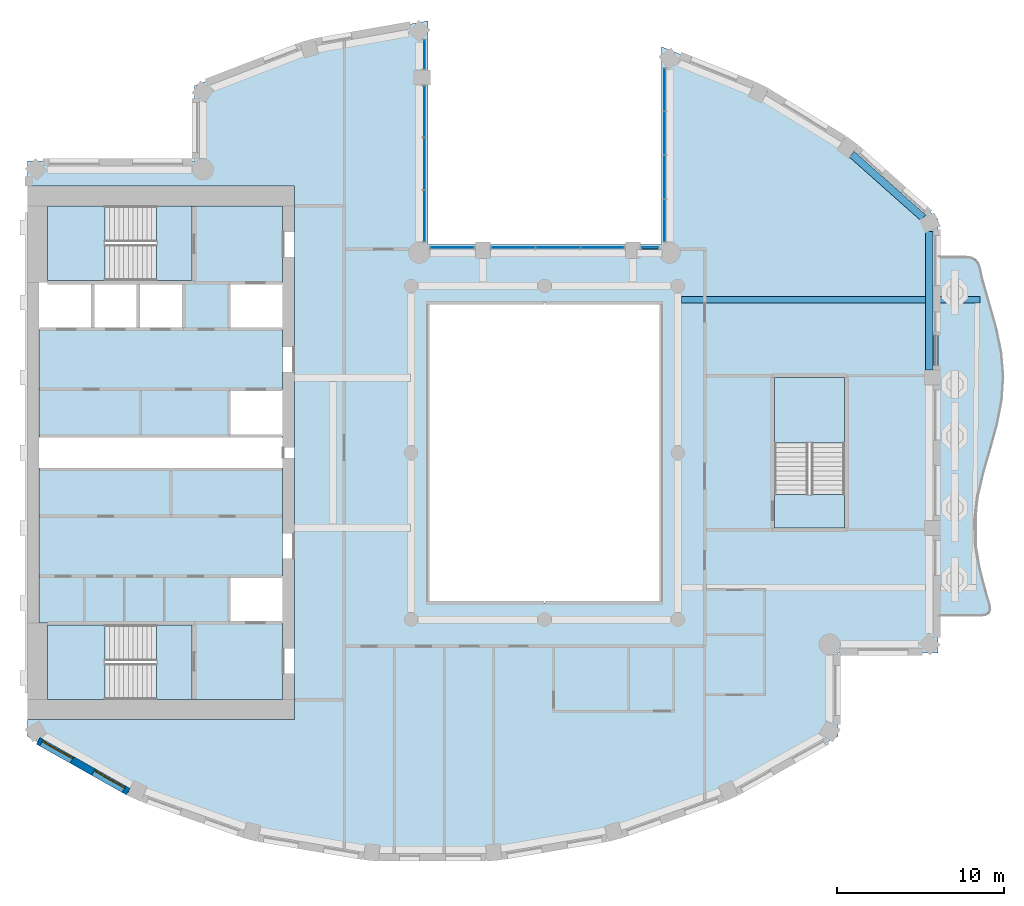
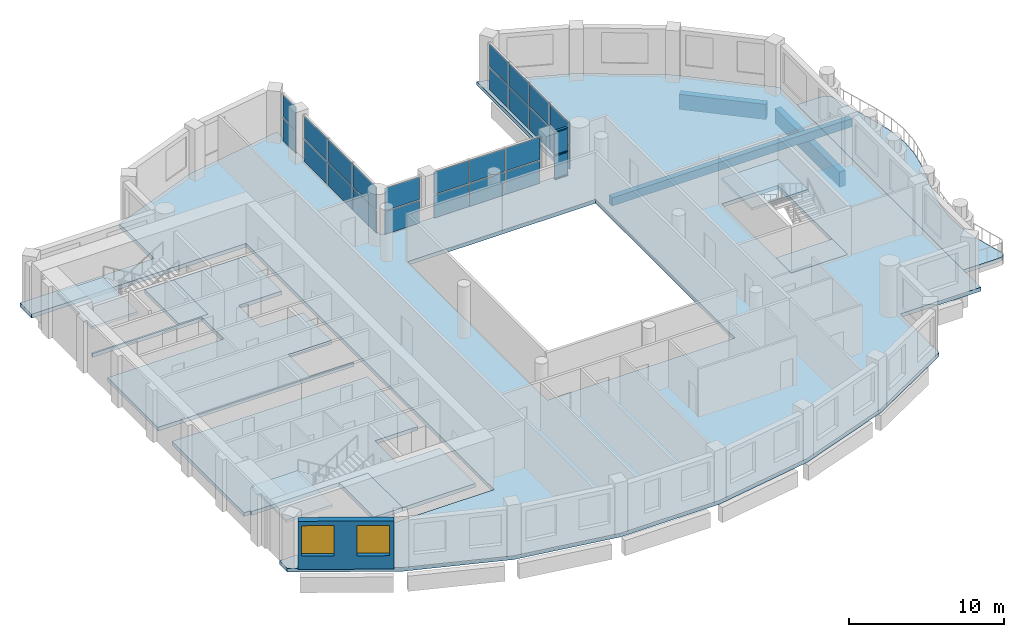
# One storey, part 3 of 14: 26 plates, 10 slabs, 3 beams, 3 members, 2 windows, 1 wall, 2 openings, 9 elements without a shape of their own.
"""IFC4 building model written with IfcOpenShell, lengths in metres."""

import ifcopenshell
import ifcopenshell.guid

model = None  # the IFC model being written
_history = None  # IfcOwnerHistory: only IFC2X3 demands one
_inside = {}  # id of a spatial element -> (the spatial element, [elements in it])
_under = {}  # id of a project, library or spatial element -> (it, [spatial elements below it])
_declared = {}  # id of a project -> (the project, [libraries it declares])
_typed = {}  # id of a type object -> (the type object, [elements of that type])
_made_of = {}  # id of a material, layer set ... -> (it, [elements and type objects made of it])


def new_model(schema):
    """Start an empty IFC model of exactly this schema.

    Asked for "IFC4X3", IfcOpenShell would pick the latest addendum, in which some entities
    have other attributes; the version numbers below select the first issue.
    IFC2X3 requires an IfcOwnerHistory on every rooted entity: one is made here for all.
    """
    global model, _history
    if schema == "IFC4X3":
        model = ifcopenshell.file(schema_version=(4, 3, 0, 0))
    else:
        model = ifcopenshell.file(schema=schema)
    _inside.clear()
    _under.clear()
    _declared.clear()
    _typed.clear()
    _made_of.clear()
    _history = None
    if model.schema == "IFC2X3":
        org = make("IfcOrganization", Name="unknown")
        user = make(
            "IfcPersonAndOrganization",
            ThePerson=make("IfcPerson", FamilyName="unknown"),
            TheOrganization=org,
        )
        app = make(
            "IfcApplication",
            ApplicationDeveloper=org,
            Version="unknown",
            ApplicationFullName="unknown",
            ApplicationIdentifier="unknown",
        )
        _history = make(
            "IfcOwnerHistory",
            OwningUser=user,
            OwningApplication=app,
            ChangeAction="ADDED",
            CreationDate=0,
        )
    return model


def make(cls, **values):
    """One entity of the class cls with the attributes given. An attribute that is None is left unset."""
    return model.create_entity(
        cls, **{name: value for name, value in values.items() if value is not None}
    )


def rooted(cls, **values):
    """An entity with a GlobalId (a new one), such as an element, a storey or a relation."""
    return make(cls, GlobalId=ifcopenshell.guid.new(), OwnerHistory=_history, **values)


def si_unit(unit_type, name, prefix=None):
    """IfcSIUnit, for example si_unit("LENGTHUNIT", "METRE", prefix="MILLI")."""
    return make("IfcSIUnit", UnitType=unit_type, Prefix=prefix, Name=name)


def assignment(units):
    """IfcUnitAssignment: the units of a project."""
    return None if units is None else make("IfcUnitAssignment", Units=units)


def point(xyz):
    """IfcCartesianPoint."""
    return None if xyz is None else make("IfcCartesianPoint", Coordinates=xyz)


def direction(xyz):
    """IfcDirection."""
    return None if xyz is None else make("IfcDirection", DirectionRatios=xyz)


def frame(location, z_axis=None, x_axis=None):
    """IfcAxis2Placement3D, a coordinate frame: its origin and axes. An axis left out is left unset."""
    return make(
        "IfcAxis2Placement3D",
        Location=point(location),
        Axis=direction(z_axis),
        RefDirection=direction(x_axis),
    )


def frame_2d(location, x_axis=None):
    """IfcAxis2Placement2D, a coordinate frame in the plane: its origin and x axis."""
    return make(
        "IfcAxis2Placement2D", Location=point(location), RefDirection=direction(x_axis)
    )


def origin():
    """The frame at (0, 0, 0) with its axes left unset."""
    return frame((0.0, 0.0, 0.0))


def origin_2d():
    """The frame at (0, 0) in the plane with its x axis left unset."""
    return frame_2d((0.0, 0.0))


def place(relative_to, where):
    """IfcLocalPlacement: puts the frame where relative to a parent placement (None: the world)."""
    return make(
        "IfcLocalPlacement", PlacementRelTo=relative_to, RelativePlacement=where
    )


def context(
    kind, dimensions, precision=None, world=None, true_north=None, identifier=None
):
    """IfcGeometricRepresentationContext, for example the 3D "Model" context."""
    return make(
        "IfcGeometricRepresentationContext",
        ContextIdentifier=identifier,
        ContextType=kind,
        CoordinateSpaceDimension=dimensions,
        Precision=precision,
        WorldCoordinateSystem=world,
        TrueNorth=true_north,
    )


def subcontext(parent, identifier, kind, view, scale=None):
    """IfcGeometricRepresentationSubContext, for example "Body" below "Model"."""
    return make(
        "IfcGeometricRepresentationSubContext",
        ContextIdentifier=identifier,
        ContextType=kind,
        ParentContext=parent,
        TargetScale=scale,
        TargetView=view,
    )


def project(units=None, contexts=None):
    """IfcProject with its units and contexts."""
    return rooted(
        "IfcProject",
        Name="project",
        RepresentationContexts=contexts,
        UnitsInContext=assignment(units),
    )


def spatial(cls, under=None, at=None, **own):
    """A site, building, storey or space (cls), placed at a placement, below another one or the project."""
    s = rooted(cls, ObjectPlacement=at, **own)
    if under is not None:
        _under.setdefault(under.id(), (under, []))[1].append(s)
    return s


def polyline(points):
    """IfcPolyline through the points."""
    return make("IfcPolyline", Points=[point(p) for p in points])


def profile(cls, at=None, kind="AREA", **sizes):
    """A parametric profile (cls). Its sizes go by their IFC names, for example OverallWidth=200.0."""
    return make(cls, ProfileType=kind, Position=at, **sizes)


def rectangle(**sizes):
    """IfcRectangleProfileDef."""
    return profile("IfcRectangleProfileDef", **sizes)


def outline(outer, holes=None, kind="AREA"):
    """IfcArbitraryClosedProfileDef: a profile drawn as a closed curve; with holes, ...WithVoids."""
    if holes is None:
        return make("IfcArbitraryClosedProfileDef", ProfileType=kind, OuterCurve=outer)
    return make(
        "IfcArbitraryProfileDefWithVoids",
        ProfileType=kind,
        OuterCurve=outer,
        InnerCurves=holes,
    )


def extrude(swept, where, along, depth):
    """IfcExtrudedAreaSolid: the profile swept, set in the frame where, extruded along a direction by depth."""
    return make(
        "IfcExtrudedAreaSolid",
        SweptArea=swept,
        Position=where,
        ExtrudedDirection=direction(along),
        Depth=depth,
    )


def shape(context_of_items, identifier, shape_type, items):
    """IfcShapeRepresentation: the items that make up one representation, for example the "Body"."""
    return make(
        "IfcShapeRepresentation",
        ContextOfItems=context_of_items,
        RepresentationIdentifier=identifier,
        RepresentationType=shape_type,
        Items=items,
    )


def material(Name=None, Category=None):
    """IfcMaterial."""
    return make("IfcMaterial", Name=Name, Category=Category)


def layer(
    of_material, thickness, ventilated=None, Name=None, Category=None, Priority=None
):
    """IfcMaterialLayer: one layer of a wall or slab, of a material (None: an air gap)."""
    return make(
        "IfcMaterialLayer",
        Material=of_material,
        LayerThickness=thickness,
        IsVentilated=ventilated,
        Name=Name,
        Category=Category,
        Priority=Priority,
    )


def layer_set(layers, Name=None):
    """IfcMaterialLayerSet."""
    return make("IfcMaterialLayerSet", MaterialLayers=layers, LayerSetName=Name)


def material_profile(
    of_material, cross_section, Name=None, Category=None, Priority=None
):
    """IfcMaterialProfile: a cross section and its material."""
    return make(
        "IfcMaterialProfile",
        Name=Name,
        Material=of_material,
        Profile=cross_section,
        Priority=Priority,
        Category=Category,
    )


def profile_set(profiles, Name=None, composite=None):
    """IfcMaterialProfileSet."""
    return make(
        "IfcMaterialProfileSet",
        Name=Name,
        MaterialProfiles=profiles,
        CompositeProfile=composite,
    )


def made_of(thing, what):
    """Note that an element or type object is made of a material, layer set ...; save() writes the relation."""
    if what is not None:
        _made_of.setdefault(what.id(), (what, []))[1].append(thing)
    return thing


def type_object(cls, material=None, **own):
    """A type object (cls), such as IfcWallType, which elements share."""
    return made_of(rooted(cls, **own), material)


def element(
    cls,
    number,
    at=None,
    inside=None,
    cuts=None,
    type_object=None,
    material=None,
    context=None,
    identifier="Body",
    shape_type=None,
    held_by="IfcProductDefinitionShape",
    body=None,
    shapes=None,
    **own,
):
    """One element of the class cls, such as IfcWall. Its Tag is "e" and its number.

    at: its placement. inside: the storey or other place that contains it. cuts: it is an
    opening in that element (IfcRelVoidsElement). A single representation is given by context,
    identifier, shape_type and body (its items); several are given by shapes. held_by: the class
    of the entity that holds the representations. save() writes the other relations.
    """
    e = rooted(cls, Tag="e%d" % number, ObjectPlacement=at, **own)
    if body is not None:
        shapes = [shape(context, identifier, shape_type, body)]
    if shapes is not None:
        e.Representation = make(held_by, Representations=shapes)
    if inside is not None:
        _inside.setdefault(inside.id(), (inside, []))[1].append(e)
    if cuts is not None:
        rooted(
            "IfcRelVoidsElement", RelatingBuildingElement=cuts, RelatedOpeningElement=e
        )
    if type_object is not None:
        _typed.setdefault(type_object.id(), (type_object, []))[1].append(e)
    return made_of(e, material)


def fill(opening, filler):
    """IfcRelFillsElement: the door or window that sits in an opening."""
    return rooted(
        "IfcRelFillsElement",
        RelatingOpeningElement=opening,
        RelatedBuildingElement=filler,
    )


def aggregate(whole, parts):
    """IfcRelAggregates: a whole, such as a stair, and the parts it consists of."""
    return rooted("IfcRelAggregates", RelatingObject=whole, RelatedObjects=parts)


def save(model, path):
    """Write the relations noted so far, then the file.

    IfcRelAggregates (storeys below a building ...), IfcRelContainedInSpatialStructure (elements
    in a storey), IfcRelDefinesByType, IfcRelAssociatesMaterial and IfcRelDeclares: one each for
    every whole, place, type object, material and project.
    """
    for whole, parts in _under.values():
        aggregate(whole, parts)
    for where, things in _inside.values():
        rooted(
            "IfcRelContainedInSpatialStructure",
            RelatedElements=things,
            RelatingStructure=where,
        )
    for kind, things in _typed.values():
        rooted("IfcRelDefinesByType", RelatedObjects=things, RelatingType=kind)
    for what, things in _made_of.values():
        rooted("IfcRelAssociatesMaterial", RelatedObjects=things, RelatingMaterial=what)
    for by, libraries in _declared.values():
        rooted("IfcRelDeclares", RelatingContext=by, RelatedDefinitions=libraries)
    model.write(path)


model = new_model("IFC4")

# Units and contexts
model_context = context("Model", 3, precision=1e-05, world=origin(), true_north=direction((0.0, 1.0)))
body_context = subcontext(model_context, "Body", "Model", "MODEL_VIEW")
ifc_project = project(units=[si_unit("LENGTHUNIT", "METRE"), si_unit("AREAUNIT", "SQUARE_METRE"), si_unit("VOLUMEUNIT", "CUBIC_METRE"), si_unit("PLANEANGLEUNIT", "RADIAN"), si_unit("MASSUNIT", "GRAM", prefix="KILO")], contexts=[model_context])

# Site, building, storey
site_placement = place(None, origin())
site = spatial("IfcSite", under=ifc_project, at=site_placement, CompositionType="ELEMENT")
building_placement = place(site_placement, origin())
building = spatial("IfcBuilding", under=site, at=building_placement, Name="Cypress Arch Tower", CompositionType="ELEMENT")
storey_placement = place(building_placement, frame((0.0, 0.0, 251.60009765625)))
storey = spatial("IfcBuildingStorey", under=building, at=storey_placement, Name="L56", CompositionType="ELEMENT", Elevation=251.60009765625)

# Beams
ifc_material_1 = material(Name="Concrete C50/60", Category="concrete")
ifc_material_profile_1 = material_profile(ifc_material_1, rectangle(XDim=0.39990234375, YDim=0.64990234375, at=origin_2d()), Name="RC 400x650")
ifc_profile_set_1 = profile_set([ifc_material_profile_1], Name="Concrete C50/60")
beam_type_1 = type_object("IfcBeamType", Name="Cantilever beam RC 400x650 Concrete C50/60", PredefinedType="BEAM", material=ifc_profile_set_1)
beam_1_placement = place(storey_placement, frame((9.22509765625, 9.1826171875, -0.625), z_axis=(1.0, 0.0, 0.0), x_axis=(0.0, 1.0, 0.0)))
element("IfcBeam", 1, at=beam_1_placement, inside=storey, type_object=beam_type_1, Name="Cantilever beam L56 C17 2", PredefinedType="BEAM", context=body_context, shape_type="SweptSolid", body=[
    extrude(rectangle(XDim=0.39990234375, YDim=0.64990234375, at=origin_2d()), origin(), (0.0, 0.0, 1.0), 17.87353515625),
])
ifc_material_2 = material(Name="Concrete C50/60", Category="concrete")
ifc_material_profile_2 = material_profile(ifc_material_2, rectangle(XDim=0.449951171875, YDim=1.199951171875, at=origin_2d()), Name="RC 450x1200")
ifc_profile_set_2 = profile_set([ifc_material_profile_2], Name="Concrete C50/60")
beam_type_2 = type_object("IfcBeamType", Name="Spandrel beam RC 450x1200 Concrete C50/60", PredefinedType="SPANDREL", material=ifc_profile_set_2)
beam_2_placement = place(storey_placement, frame((24.074951171875, 4.949951171875, -1.550048828125), z_axis=(0.0, 1.0, 0.0), x_axis=(-1.0, 0.0, 0.0)))
element("IfcBeam", 2, at=beam_2_placement, inside=storey, type_object=beam_type_2, Name="Spandrel beam L56 BC17-2", PredefinedType="SPANDREL", context=body_context, shape_type="SweptSolid", body=[
    extrude(rectangle(XDim=0.449951171875, YDim=1.199951171875, at=origin_2d()), origin(), (0.0, 0.0, 1.0), 8.32080078125),
])
beam_3_placement = place(storey_placement, frame((23.706298828125, 14.091796875, -1.550048828125), z_axis=(-0.747555073917, 0.664199827959, 0.0), x_axis=(-0.664199827959, -0.747555073917, 0.0)))
element("IfcBeam", 3, at=beam_3_placement, inside=storey, type_object=beam_type_2, Name="Spandrel beam L56 BC18-0", PredefinedType="SPANDREL", context=body_context, shape_type="SweptSolid", body=[
    extrude(rectangle(XDim=0.449951171875, YDim=1.199951171875, at=origin_2d()), origin(), (0.0, 0.0, 1.0), 5.72900390625),
])

# Curtain wall, members
ifc_material_3 = material(Name="Anodised aluminium, bronze finish, clear laminated double glazing", Category="aluminium")
curtain_wall_type = type_object("IfcCurtainWallType", Name="Curtain wall CW7 slot glazing", PredefinedType="NOTDEFINED", material=ifc_material_3)
curtain_wall_1_placement = place(storey_placement, origin())
curtain_wall_1 = element("IfcCurtainWall", 4, at=curtain_wall_1_placement, inside=storey, type_object=curtain_wall_type, Name="Curtain wall L56 slot C01.0", PredefinedType="NOTDEFINED")
ifc_material_4 = material(Name="Anodised aluminium, bronze finish", Category="aluminium")
ifc_material_profile_3 = material_profile(ifc_material_4, rectangle(XDim=0.179931640625, YDim=0.0849609375, at=origin_2d()), Name="Transom 85x180")
ifc_profile_set_3 = profile_set([ifc_material_profile_3], Name="Anodised aluminium, bronze finish")
member_type = type_object("IfcMemberType", Name="Transom CW7 85x180", PredefinedType="USERDEFINED", material=ifc_profile_set_3)
member_1_placement = place(storey_placement, frame((7.8134765625, 12.300048828125, 0.04248046875), z_axis=(-1.0, 0.0, 0.0), x_axis=(0.0, -1.0, 0.0)))
member_1 = element("IfcMember", 5, at=member_1_placement, type_object=member_type, Name="CW7 transom 1.1", ObjectType="TRANSOM", PredefinedType="USERDEFINED", context=body_context, shape_type="SweptSolid", body=[
    extrude(rectangle(XDim=0.179931640625, YDim=0.0849609375, at=origin_2d()), origin(), (0.0, 0.0, 1.0), 0.978515625),
])
member_2_placement = place(storey_placement, frame((7.8134765625, 12.300048828125, 1.89990234375), z_axis=(-1.0, 0.0, 0.0), x_axis=(0.0, -1.0, 0.0)))
member_2 = element("IfcMember", 6, at=member_2_placement, type_object=member_type, Name="CW7 transom 1.2", ObjectType="TRANSOM", PredefinedType="USERDEFINED", context=body_context, shape_type="SweptSolid", body=[
    extrude(rectangle(XDim=0.179931640625, YDim=0.0849609375, at=origin_2d()), origin(), (0.0, 0.0, 1.0), 0.978515625),
])
member_3_placement = place(storey_placement, frame((7.8134765625, 12.300048828125, 3.75732421875), z_axis=(-1.0, 0.0, 0.0), x_axis=(0.0, -1.0, 0.0)))
member_3 = element("IfcMember", 7, at=member_3_placement, type_object=member_type, Name="CW7 transom 1.3", ObjectType="TRANSOM", PredefinedType="USERDEFINED", context=body_context, shape_type="SweptSolid", body=[
    extrude(rectangle(XDim=0.179931640625, YDim=0.0849609375, at=origin_2d()), origin(), (0.0, 0.0, 1.0), 0.978515625),
])

# Slabs
ifc_material_5 = material(Name="Concrete C40/50", Category="concrete")
ifc_layer_1 = layer(ifc_material_5, 0.300048828125)
ifc_layer_set_1 = layer_set([ifc_layer_1], Name="Balcony slab BS300")
slab_type_1 = type_object("IfcSlabType", Name="Balcony slab BS300", PredefinedType="USERDEFINED", material=ifc_layer_set_1)
slab_1_placement = place(storey_placement, frame((0.0, 0.0, -0.300048828125)))
element("IfcSlab", 8, at=slab_1_placement, inside=storey, type_object=slab_type_1, Name="Balcony slab L56-C17", ObjectType="BALCONY SLAB", PredefinedType="USERDEFINED", context=body_context, shape_type="SweptSolid", body=[
    extrude(outline(polyline([(24.60009765625, -9.75), (27.19775390625, -9.75), (27.47998046875, -9.709716796875), (27.654541015625, -9.5888671875), (27.721435546875, -9.38720703125), (27.6806640625, -9.10498046875), (27.44921875, -8.316650390625), (27.07763671875, -6.88330078125), (26.84619140625, -5.449951171875), (26.81201171875, -4.0166015625), (26.983154296875, -2.583251953125), (27.31787109375, -1.14990234375), (27.73388671875, 0.283447265625), (28.12939453125, 1.716552734375), (28.407470703125, 3.14990234375), (28.499755859375, 4.583251953125), (28.383544921875, 6.0166015625), (28.087890625, 7.449951171875), (27.6845703125, 8.88330078125), (27.27294921875, 10.316650390625), (27.097412109375, 11.10498046875), (26.9931640625, 11.38720703125), (26.824462890625, 11.5888671875), (26.591064453125, 11.709716796875), (26.29296875, 11.75), (24.60009765625, 11.75), (24.60009765625, -9.75)])), origin(), (0.0, 0.0, 1.0), 0.300048828125),
])
ifc_material_6 = material(Name="Concrete C40/50", Category="concrete")
ifc_layer_2 = layer(ifc_material_6, 0.300048828125)
ifc_layer_set_2 = layer_set([ifc_layer_2], Name="Core floor CF300")
slab_type_2 = type_object("IfcSlabType", Name="Core floor CF300", PredefinedType="FLOOR", material=ifc_layer_set_2)
slab_2_placement = place(storey_placement, frame((0.0, 0.0, -0.300048828125)))
element("IfcSlab", 9, at=slab_2_placement, inside=storey, type_object=slab_type_2, Name="Core floor", PredefinedType="FLOOR", context=body_context, shape_type="SweptSolid", body=[
    extrude(outline(polyline([(-28.89990234375, -10.199951171875), (-29.300048828125, -10.199951171875), (-29.300048828125, -0.89990234375), (-28.89990234375, -0.89990234375), (-15.10009765625, -0.89990234375), (-14.699951171875, -0.89990234375), (-14.699951171875, -7.39990234375), (-15.10009765625, -7.39990234375), (-17.919921875, -7.39990234375), (-17.919921875, -10.199951171875), (-15.10009765625, -10.199951171875), (-14.699951171875, -10.199951171875), (-14.699951171875, -14.800048828125), (-15.10009765625, -14.800048828125), (-20.125, -14.800048828125), (-20.125, -10.324951171875), (-22.27490234375, -10.324951171875), (-28.800048828125, -10.324951171875), (-28.800048828125, -10.199951171875), (-28.89990234375, -10.199951171875)])), origin(), (0.0, 0.0, 1.0), 0.300048828125),
])
slab_3_placement = place(storey_placement, frame((0.0, 0.0, -0.300048828125)))
element("IfcSlab", 10, at=slab_3_placement, inside=storey, type_object=slab_type_2, Name="Core floor", PredefinedType="FLOOR", context=body_context, shape_type="SweptSolid", body=[
    extrude(outline(polyline([(-22.27490234375, -10.324951171875), (-22.27490234375, -14.800048828125), (-20.125, -14.800048828125), (-20.125, -10.324951171875), (-22.27490234375, -10.324951171875)])), origin(), (0.0, 0.0, 1.0), 0.300048828125),
])
slab_4_placement = place(storey_placement, frame((0.0, 0.0, -0.300048828125)))
element("IfcSlab", 11, at=slab_4_placement, inside=storey, type_object=slab_type_2, Name="Core floor", PredefinedType="FLOOR", context=body_context, shape_type="SweptSolid", body=[
    extrude(outline(polyline([(-20.125, 14.800048828125), (-22.27490234375, 14.800048828125), (-22.27490234375, 10.324951171875), (-20.125, 10.324951171875), (-20.125, 14.800048828125)])), origin(), (0.0, 0.0, 1.0), 0.300048828125),
])
slab_5_placement = place(storey_placement, frame((0.0, 0.0, -0.300048828125)))
element("IfcSlab", 12, at=slab_5_placement, inside=storey, type_object=slab_type_2, Name="Stair floor landing", PredefinedType="FLOOR", context=body_context, shape_type="SweptSolid", body=[
    extrude(outline(polyline([(19.0, -4.5), (19.0, -2.5), (14.800048828125, -2.5), (14.800048828125, -4.5), (19.0, -4.5)])), origin(), (0.0, 0.0, 1.0), 0.300048828125),
])
slab_6_placement = place(storey_placement, frame((0.0, 0.0, -0.300048828125)))
element("IfcSlab", 13, at=slab_6_placement, inside=storey, type_object=slab_type_2, Name="Core floor", PredefinedType="FLOOR", context=body_context, shape_type="SweptSolid", body=[
    extrude(outline(polyline([(-20.639892578125, 10.199951171875), (-23.360107421875, 10.199951171875), (-26.080078125, 10.199951171875), (-28.800048828125, 10.199951171875), (-28.800048828125, 10.324951171875), (-22.27490234375, 10.324951171875), (-20.125, 10.324951171875), (-20.125, 14.800048828125), (-15.10009765625, 14.800048828125), (-14.699951171875, 14.800048828125), (-14.699951171875, 10.199951171875), (-15.10009765625, 10.199951171875), (-17.919921875, 10.199951171875), (-17.919921875, 7.39990234375), (-15.10009765625, 7.39990234375), (-14.699951171875, 7.39990234375), (-14.699951171875, 3.800048828125), (-15.10009765625, 3.800048828125), (-17.919921875, 3.800048828125), (-17.919921875, 1.5), (-17.919921875, 1.0), (-17.5, 1.0), (-15.10009765625, 1.0), (-14.699951171875, 1.0), (-14.699951171875, 0.89990234375), (-15.10009765625, 0.89990234375), (-17.5, 0.89990234375), (-18.300048828125, 0.89990234375), (-28.89990234375, 0.89990234375), (-29.300048828125, 0.89990234375), (-29.300048828125, 1.5), (-29.300048828125, 7.39990234375), (-28.89990234375, 7.39990234375), (-26.080078125, 7.39990234375), (-23.360107421875, 7.39990234375), (-20.639892578125, 7.39990234375), (-20.639892578125, 10.199951171875)])), origin(), (0.0, 0.0, 1.0), 0.300048828125),
])

# Curtain wall, plates
curtain_wall_2_placement = place(storey_placement, origin())
curtain_wall_2 = element("IfcCurtainWall", 14, at=curtain_wall_2_placement, inside=storey, type_object=curtain_wall_type, Name="Curtain wall L56 slot C00.0", PredefinedType="NOTDEFINED")
ifc_material_7 = material(Name="Clear laminated double glazing", Category="glass")
ifc_layer_3 = layer(ifc_material_7, 0.0439453125)
ifc_layer_set_3 = layer_set([ifc_layer_3], Name="Glass panel CW7 44")
plate_type = type_object("IfcPlateType", Name="Glass panel CW7 44", PredefinedType="CURTAIN_PANEL", material=ifc_layer_set_3)
plate_1_placement = place(storey_placement, frame((8.199951171875, 21.768798828125, 0.0849609375), z_axis=(0.0, 0.0, 1.0), x_axis=(0.0, -1.0, 0.0)))
plate_1 = element("IfcPlate", 15, at=plate_1_placement, type_object=plate_type, Name="CW7 panel 1.1", PredefinedType="CURTAIN_PANEL", context=body_context, shape_type="SweptSolid", body=[
    extrude(rectangle(XDim=2.497802734375, YDim=0.0439453125, at=origin_2d()), origin(), (0.0, 0.0, 1.0), 1.7724609375),
])
plate_2_placement = place(storey_placement, frame((8.199951171875, 21.768798828125, 1.9423828125), z_axis=(0.0, 0.0, 1.0), x_axis=(0.0, -1.0, 0.0)))
plate_2 = element("IfcPlate", 16, at=plate_2_placement, type_object=plate_type, Name="CW7 panel 1.2", PredefinedType="CURTAIN_PANEL", context=body_context, shape_type="SweptSolid", body=[
    extrude(rectangle(XDim=2.497802734375, YDim=0.0439453125, at=origin_2d()), origin(), (0.0, 0.0, 1.0), 1.7724609375),
])
plate_3_placement = place(storey_placement, frame((8.199951171875, 19.164794921875, 0.0849609375), z_axis=(0.0, 0.0, 1.0), x_axis=(0.0, -1.0, 0.0)))
plate_3 = element("IfcPlate", 17, at=plate_3_placement, type_object=plate_type, Name="CW7 panel 2.1", PredefinedType="CURTAIN_PANEL", context=body_context, shape_type="SweptSolid", body=[
    extrude(rectangle(XDim=2.540283203125, YDim=0.0439453125, at=origin_2d()), origin(), (0.0, 0.0, 1.0), 1.7724609375),
])
plate_4_placement = place(storey_placement, frame((8.199951171875, 19.164794921875, 1.9423828125), z_axis=(0.0, 0.0, 1.0), x_axis=(0.0, -1.0, 0.0)))
plate_4 = element("IfcPlate", 18, at=plate_4_placement, type_object=plate_type, Name="CW7 panel 2.2", PredefinedType="CURTAIN_PANEL", context=body_context, shape_type="SweptSolid", body=[
    extrude(rectangle(XDim=2.540283203125, YDim=0.0439453125, at=origin_2d()), origin(), (0.0, 0.0, 1.0), 1.7724609375),
])
plate_5_placement = place(storey_placement, frame((8.199951171875, 16.53955078125, 0.0849609375), z_axis=(0.0, 0.0, 1.0), x_axis=(0.0, -1.0, 0.0)))
plate_5 = element("IfcPlate", 19, at=plate_5_placement, type_object=plate_type, Name="CW7 panel 3.1", PredefinedType="CURTAIN_PANEL", context=body_context, shape_type="SweptSolid", body=[
    extrude(rectangle(XDim=2.540283203125, YDim=0.0439453125, at=origin_2d()), origin(), (0.0, 0.0, 1.0), 1.7724609375),
])
plate_6_placement = place(storey_placement, frame((8.199951171875, 16.53955078125, 1.9423828125), z_axis=(0.0, 0.0, 1.0), x_axis=(0.0, -1.0, 0.0)))
plate_6 = element("IfcPlate", 20, at=plate_6_placement, type_object=plate_type, Name="CW7 panel 3.2", PredefinedType="CURTAIN_PANEL", context=body_context, shape_type="SweptSolid", body=[
    extrude(rectangle(XDim=2.540283203125, YDim=0.0439453125, at=origin_2d()), origin(), (0.0, 0.0, 1.0), 1.7724609375),
])
plate_7_placement = place(storey_placement, frame((8.199951171875, 13.935302734375, 0.0849609375), z_axis=(0.0, 0.0, 1.0), x_axis=(0.0, -1.0, 0.0)))
plate_7 = element("IfcPlate", 21, at=plate_7_placement, type_object=plate_type, Name="CW7 panel 4.1", PredefinedType="CURTAIN_PANEL", context=body_context, shape_type="SweptSolid", body=[
    extrude(rectangle(XDim=2.497802734375, YDim=0.0439453125, at=origin_2d()), origin(), (0.0, 0.0, 1.0), 1.7724609375),
])
plate_8_placement = place(storey_placement, frame((8.199951171875, 13.935302734375, 1.9423828125), z_axis=(0.0, 0.0, 1.0), x_axis=(0.0, -1.0, 0.0)))
plate_8 = element("IfcPlate", 22, at=plate_8_placement, type_object=plate_type, Name="CW7 panel 4.2", PredefinedType="CURTAIN_PANEL", context=body_context, shape_type="SweptSolid", body=[
    extrude(rectangle(XDim=2.497802734375, YDim=0.0439453125, at=origin_2d()), origin(), (0.0, 0.0, 1.0), 1.7724609375),
])
aggregate(curtain_wall_2, [plate_1, plate_2, plate_3, plate_4, plate_5, plate_6, plate_7, plate_8])

# Plate
plate_9_placement = place(storey_placement, frame((7.32421875, 12.300048828125, 0.0849609375), z_axis=(0.0, 0.0, 1.0), x_axis=(-1.0, 0.0, 0.0)))
plate_9 = element("IfcPlate", 23, at=plate_9_placement, type_object=plate_type, Name="CW7 panel 1.1", PredefinedType="CURTAIN_PANEL", context=body_context, shape_type="SweptSolid", body=[
    extrude(rectangle(XDim=0.978515625, YDim=0.0439453125, at=origin_2d()), origin(), (0.0, 0.0, 1.0), 1.7724609375),
])

plate_10_placement = place(storey_placement, frame((7.32421875, 12.300048828125, 1.9423828125), z_axis=(0.0, 0.0, 1.0), x_axis=(-1.0, 0.0, 0.0)))
plate_10 = element("IfcPlate", 24, at=plate_10_placement, type_object=plate_type, Name="CW7 panel 1.2", PredefinedType="CURTAIN_PANEL", context=body_context, shape_type="SweptSolid", body=[
    extrude(rectangle(XDim=0.978515625, YDim=0.0439453125, at=origin_2d()), origin(), (0.0, 0.0, 1.0), 1.7724609375),
])

aggregate(curtain_wall_1, [member_1, member_2, member_3, plate_9, plate_10])

# Curtain wall, plates
curtain_wall_3_placement = place(storey_placement, origin())
curtain_wall_3 = element("IfcCurtainWall", 25, at=curtain_wall_3_placement, inside=storey, type_object=curtain_wall_type, Name="Curtain wall L56 slot C01.1", PredefinedType="NOTDEFINED")
plate_11_placement = place(storey_placement, frame((4.478759765625, 12.300048828125, 0.0849609375), z_axis=(0.0, 0.0, 1.0), x_axis=(-1.0, 0.0, 0.0)))
plate_11 = element("IfcPlate", 26, at=plate_11_placement, type_object=plate_type, Name="CW7 panel 1.1", PredefinedType="CURTAIN_PANEL", context=body_context, shape_type="SweptSolid", body=[
    extrude(rectangle(XDim=2.572509765625, YDim=0.0439453125, at=origin_2d()), origin(), (0.0, 0.0, 1.0), 1.7724609375),
])
plate_12_placement = place(storey_placement, frame((4.478759765625, 12.300048828125, 1.9423828125), z_axis=(0.0, 0.0, 1.0), x_axis=(-1.0, 0.0, 0.0)))
plate_12 = element("IfcPlate", 27, at=plate_12_placement, type_object=plate_type, Name="CW7 panel 1.2", PredefinedType="CURTAIN_PANEL", context=body_context, shape_type="SweptSolid", body=[
    extrude(rectangle(XDim=2.572509765625, YDim=0.0439453125, at=origin_2d()), origin(), (0.0, 0.0, 1.0), 1.7724609375),
])
plate_13_placement = place(storey_placement, frame((1.800048828125, 12.300048828125, 0.0849609375), z_axis=(0.0, 0.0, 1.0), x_axis=(-1.0, 0.0, 0.0)))
plate_13 = element("IfcPlate", 28, at=plate_13_placement, type_object=plate_type, Name="CW7 panel 2.1", PredefinedType="CURTAIN_PANEL", context=body_context, shape_type="SweptSolid", body=[
    extrude(rectangle(XDim=2.614990234375, YDim=0.0439453125, at=origin_2d()), origin(), (0.0, 0.0, 1.0), 1.7724609375),
])
plate_14_placement = place(storey_placement, frame((1.800048828125, 12.300048828125, 1.9423828125), z_axis=(0.0, 0.0, 1.0), x_axis=(-1.0, 0.0, 0.0)))
plate_14 = element("IfcPlate", 29, at=plate_14_placement, type_object=plate_type, Name="CW7 panel 2.2", PredefinedType="CURTAIN_PANEL", context=body_context, shape_type="SweptSolid", body=[
    extrude(rectangle(XDim=2.614990234375, YDim=0.0439453125, at=origin_2d()), origin(), (0.0, 0.0, 1.0), 1.7724609375),
])
plate_15_placement = place(storey_placement, frame((-0.878662109375, 12.300048828125, 0.0849609375), z_axis=(0.0, 0.0, 1.0), x_axis=(-1.0, 0.0, 0.0)))
plate_15 = element("IfcPlate", 30, at=plate_15_placement, type_object=plate_type, Name="CW7 panel 3.1", PredefinedType="CURTAIN_PANEL", context=body_context, shape_type="SweptSolid", body=[
    extrude(rectangle(XDim=2.572509765625, YDim=0.0439453125, at=origin_2d()), origin(), (0.0, 0.0, 1.0), 1.7724609375),
])
plate_16_placement = place(storey_placement, frame((-0.878662109375, 12.300048828125, 1.9423828125), z_axis=(0.0, 0.0, 1.0), x_axis=(-1.0, 0.0, 0.0)))
plate_16 = element("IfcPlate", 31, at=plate_16_placement, type_object=plate_type, Name="CW7 panel 3.2", PredefinedType="CURTAIN_PANEL", context=body_context, shape_type="SweptSolid", body=[
    extrude(rectangle(XDim=2.572509765625, YDim=0.0439453125, at=origin_2d()), origin(), (0.0, 0.0, 1.0), 1.7724609375),
])
aggregate(curtain_wall_3, [plate_11, plate_12, plate_13, plate_14, plate_15, plate_16])

curtain_wall_4_placement = place(storey_placement, origin())
curtain_wall_4 = element("IfcCurtainWall", 32, at=curtain_wall_4_placement, inside=storey, type_object=curtain_wall_type, Name="Curtain wall L56 slot C01.2", PredefinedType="NOTDEFINED")
plate_17_placement = place(storey_placement, frame((-4.524169921875, 12.300048828125, 0.0849609375), z_axis=(0.0, 0.0, 1.0), x_axis=(-1.0, 0.0, 0.0)))
plate_17 = element("IfcPlate", 33, at=plate_17_placement, type_object=plate_type, Name="CW7 panel 1.1", PredefinedType="CURTAIN_PANEL", context=body_context, shape_type="SweptSolid", body=[
    extrude(rectangle(XDim=2.57861328125, YDim=0.0439453125, at=origin_2d()), origin(), (0.0, 0.0, 1.0), 1.7724609375),
])
plate_18_placement = place(storey_placement, frame((-4.524169921875, 12.300048828125, 1.9423828125), z_axis=(0.0, 0.0, 1.0), x_axis=(-1.0, 0.0, 0.0)))
plate_18 = element("IfcPlate", 34, at=plate_18_placement, type_object=plate_type, Name="CW7 panel 1.2", PredefinedType="CURTAIN_PANEL", context=body_context, shape_type="SweptSolid", body=[
    extrude(rectangle(XDim=2.57861328125, YDim=0.0439453125, at=origin_2d()), origin(), (0.0, 0.0, 1.0), 1.7724609375),
])
aggregate(curtain_wall_4, [plate_17, plate_18])

curtain_wall_5_placement = place(storey_placement, origin())
curtain_wall_5 = element("IfcCurtainWall", 35, at=curtain_wall_5_placement, inside=storey, type_object=curtain_wall_type, Name="Curtain wall L56 slot C02.0", PredefinedType="NOTDEFINED")
plate_19_placement = place(storey_placement, frame((-6.199951171875, 14.197509765625, 0.0849609375), z_axis=(0.0, 0.0, 1.0), x_axis=(0.0, 1.0, 0.0)))
plate_19 = element("IfcPlate", 36, at=plate_19_placement, type_object=plate_type, Name="CW7 panel 1.1", PredefinedType="CURTAIN_PANEL", context=body_context, shape_type="SweptSolid", body=[
    extrude(rectangle(XDim=3.02197265625, YDim=0.0439453125, at=origin_2d()), origin(), (0.0, 0.0, 1.0), 1.7724609375),
])
plate_20_placement = place(storey_placement, frame((-6.199951171875, 14.197509765625, 1.9423828125), z_axis=(0.0, 0.0, 1.0), x_axis=(0.0, 1.0, 0.0)))
plate_20 = element("IfcPlate", 37, at=plate_20_placement, type_object=plate_type, Name="CW7 panel 1.2", PredefinedType="CURTAIN_PANEL", context=body_context, shape_type="SweptSolid", body=[
    extrude(rectangle(XDim=3.02197265625, YDim=0.0439453125, at=origin_2d()), origin(), (0.0, 0.0, 1.0), 1.7724609375),
])
plate_21_placement = place(storey_placement, frame((-6.199951171875, 17.32568359375, 0.0849609375), z_axis=(0.0, 0.0, 1.0), x_axis=(0.0, 1.0, 0.0)))
plate_21 = element("IfcPlate", 38, at=plate_21_placement, type_object=plate_type, Name="CW7 panel 2.1", PredefinedType="CURTAIN_PANEL", context=body_context, shape_type="SweptSolid", body=[
    extrude(rectangle(XDim=3.064453125, YDim=0.0439453125, at=origin_2d()), origin(), (0.0, 0.0, 1.0), 1.7724609375),
])
plate_22_placement = place(storey_placement, frame((-6.199951171875, 17.32568359375, 1.9423828125), z_axis=(0.0, 0.0, 1.0), x_axis=(0.0, 1.0, 0.0)))
plate_22 = element("IfcPlate", 39, at=plate_22_placement, type_object=plate_type, Name="CW7 panel 2.2", PredefinedType="CURTAIN_PANEL", context=body_context, shape_type="SweptSolid", body=[
    extrude(rectangle(XDim=3.064453125, YDim=0.0439453125, at=origin_2d()), origin(), (0.0, 0.0, 1.0), 1.7724609375),
])
plate_23_placement = place(storey_placement, frame((-6.199951171875, 20.4541015625, 0.0849609375), z_axis=(0.0, 0.0, 1.0), x_axis=(0.0, 1.0, 0.0)))
plate_23 = element("IfcPlate", 40, at=plate_23_placement, type_object=plate_type, Name="CW7 panel 3.1", PredefinedType="CURTAIN_PANEL", context=body_context, shape_type="SweptSolid", body=[
    extrude(rectangle(XDim=3.02197265625, YDim=0.0439453125, at=origin_2d()), origin(), (0.0, 0.0, 1.0), 1.7724609375),
])
plate_24_placement = place(storey_placement, frame((-6.199951171875, 20.4541015625, 1.9423828125), z_axis=(0.0, 0.0, 1.0), x_axis=(0.0, 1.0, 0.0)))
plate_24 = element("IfcPlate", 41, at=plate_24_placement, type_object=plate_type, Name="CW7 panel 3.2", PredefinedType="CURTAIN_PANEL", context=body_context, shape_type="SweptSolid", body=[
    extrude(rectangle(XDim=3.02197265625, YDim=0.0439453125, at=origin_2d()), origin(), (0.0, 0.0, 1.0), 1.7724609375),
])
aggregate(curtain_wall_5, [plate_19, plate_20, plate_21, plate_22, plate_23, plate_24])

curtain_wall_6_placement = place(storey_placement, origin())
curtain_wall_6 = element("IfcCurtainWall", 42, at=curtain_wall_6_placement, inside=storey, type_object=curtain_wall_type, Name="Curtain wall L56 slot C02.1", PredefinedType="NOTDEFINED")
plate_25_placement = place(storey_placement, frame((-6.199951171875, 23.89111328125, 0.0849609375), z_axis=(0.0, 0.0, 1.0), x_axis=(0.0, 1.0, 0.0)))
plate_25 = element("IfcPlate", 43, at=plate_25_placement, type_object=plate_type, Name="CW7 panel 1.1", PredefinedType="CURTAIN_PANEL", context=body_context, shape_type="SweptSolid", body=[
    extrude(rectangle(XDim=1.71240234375, YDim=0.0439453125, at=origin_2d()), origin(), (0.0, 0.0, 1.0), 1.7724609375),
])
plate_26_placement = place(storey_placement, frame((-6.199951171875, 23.89111328125, 1.9423828125), z_axis=(0.0, 0.0, 1.0), x_axis=(0.0, 1.0, 0.0)))
plate_26 = element("IfcPlate", 44, at=plate_26_placement, type_object=plate_type, Name="CW7 panel 1.2", PredefinedType="CURTAIN_PANEL", context=body_context, shape_type="SweptSolid", body=[
    extrude(rectangle(XDim=1.71240234375, YDim=0.0439453125, at=origin_2d()), origin(), (0.0, 0.0, 1.0), 1.7724609375),
])
aggregate(curtain_wall_6, [plate_25, plate_26])

# Slab
ifc_material_8 = material(Name="Concrete C40/50", Category="concrete")
ifc_layer_4 = layer(ifc_material_8, 0.300048828125)
ifc_layer_set_4 = layer_set([ifc_layer_4], Name="PT flat slab 300 Concrete C40/50")
slab_type_3 = type_object("IfcSlabType", Name="PT flat slab 300 Concrete C40/50", PredefinedType="FLOOR", material=ifc_layer_set_4)
slab_7_placement = place(storey_placement, frame((0.0, 0.0, -0.300048828125)))
element("IfcSlab", 45, at=slab_7_placement, inside=storey, type_object=slab_type_3, Name="Floor slab L56", PredefinedType="FLOOR", context=body_context, shape_type="SweptSolid", body=[
    extrude(outline(polyline([(-30.0, 17.5), (-20.0, 17.5), (-20.0, 22.0), (-13.199951171875, 24.6201171875), (-6.0, 25.889892578125), (-6.0, 12.5), (8.0, 12.5), (8.0, 24.35009765625), (14.0, 21.93994140625), (19.39990234375, 18.6201171875), (24.60009765625, 14.0), (24.60009765625, -12.0), (18.60009765625, -12.0), (18.60009765625, -17.0), (12.179931640625, -20.6201171875), (5.239990234375, -23.090087890625), (-2.02001953125, -24.340087890625), (-9.3798828125, -24.340087890625), (-16.639892578125, -23.090087890625), (-23.580078125, -20.6201171875), (-30.0, -17.0), (-30.0, -16.0), (-14.0, -16.0), (-14.0, 16.0), (-30.0, 16.0), (-30.0, 17.5)]), holes=[polyline([(-6.0, -9.0), (8.0, -9.0), (8.0, 9.0), (-6.0, 9.0), (-6.0, -9.0)]), polyline([(14.800048828125, -4.5), (19.0, -4.5), (19.0, 4.5), (14.800048828125, 4.5), (14.800048828125, -4.5)])]), origin(), (0.0, 0.0, 1.0), 0.300048828125),
])

# Stair, slab
ifc_material_9 = material(Name="Concrete C40/50", Category="concrete")
stair_type_1 = type_object("IfcStairType", Name="Exit stair ES1708-215", PredefinedType="HALF_TURN_STAIR", material=ifc_material_9)
stair_1_placement = place(storey_placement, origin())
stair_1 = element("IfcStair", 46, at=stair_1_placement, inside=storey, type_object=stair_type_1, Name="L56 Exit stair A", PredefinedType="HALF_TURN_STAIR")
ifc_material_10 = material(Name="Concrete C40/50", Category="concrete")
ifc_layer_5 = layer(ifc_material_10, 0.199951171875)
ifc_layer_set_5 = layer_set([ifc_layer_5], Name="Stair landing SL200")
slab_type_4 = type_object("IfcSlabType", Name="Stair landing SL200", PredefinedType="LANDING", material=ifc_layer_set_5)
slab_8_placement = place(storey_placement, frame((0.0, 0.0, 1.849853515625)))
slab_8 = element("IfcSlab", 47, at=slab_8_placement, type_object=slab_type_4, Name="A landing 1", PredefinedType="LANDING", context=body_context, shape_type="SweptSolid", body=[
    extrude(outline(polyline([(-25.35498046875, -10.324951171875), (-28.800048828125, -10.324951171875), (-28.800048828125, -14.800048828125), (-25.35498046875, -14.800048828125), (-25.35498046875, -10.324951171875)])), origin(), (0.0, 0.0, 1.0), 0.199951171875),
])
aggregate(stair_1, [slab_8])

stair_2_placement = place(storey_placement, origin())
stair_2 = element("IfcStair", 48, at=stair_2_placement, inside=storey, type_object=stair_type_1, Name="L56 Exit stair B", PredefinedType="HALF_TURN_STAIR")
slab_9_placement = place(storey_placement, frame((0.0, 0.0, 1.849853515625)))
slab_9 = element("IfcSlab", 49, at=slab_9_placement, type_object=slab_type_4, Name="B landing 1", PredefinedType="LANDING", context=body_context, shape_type="SweptSolid", body=[
    extrude(outline(polyline([(-25.35498046875, 14.800048828125), (-28.800048828125, 14.800048828125), (-28.800048828125, 10.324951171875), (-25.35498046875, 10.324951171875), (-25.35498046875, 14.800048828125)])), origin(), (0.0, 0.0, 1.0), 0.199951171875),
])
aggregate(stair_2, [slab_9])

ifc_material_11 = material(Name="Concrete C40/50", Category="concrete")
stair_type_2 = type_object("IfcStairType", Name="Exit stair ES1708-200", PredefinedType="HALF_TURN_STAIR", material=ifc_material_11)
stair_3_placement = place(storey_placement, origin())
stair_3 = element("IfcStair", 50, at=stair_3_placement, inside=storey, type_object=stair_type_2, Name="L56 Exit stair C", PredefinedType="HALF_TURN_STAIR")
slab_10_placement = place(storey_placement, frame((0.0, 0.0, 1.849853515625)))
slab_10 = element("IfcSlab", 51, at=slab_10_placement, type_object=slab_type_4, Name="C landing 1", PredefinedType="LANDING", context=body_context, shape_type="SweptSolid", body=[
    extrude(outline(polyline([(19.0, 0.580078125), (19.0, 4.5), (14.800048828125, 4.5), (14.800048828125, 0.580078125), (19.0, 0.580078125)])), origin(), (0.0, 0.0, 1.0), 0.199951171875),
])
aggregate(stair_3, [slab_10])

# Wall, openings, windows
ifc_material_12 = material(Name="Brick (red buff blend)", Category="masonry")
ifc_layer_6 = layer(ifc_material_12, 0.449951171875)
ifc_layer_set_6 = layer_set([ifc_layer_6], Name="Brick pier and spandrel wall BW450")
wall_type = type_object("IfcWallType", Name="Brick pier and spandrel wall BW450", PredefinedType="SOLIDWALL", material=ifc_layer_set_6)
wall_placement = place(storey_placement, frame((-29.3564453125, -17.276611328125, 0.0), z_axis=(0.0, 0.0, 1.0), x_axis=(0.871065783524, -0.491166367714, 0.0)))
wall = element("IfcWall", 52, at=wall_placement, inside=storey, type_object=wall_type, Name="Brick wall L56 C08.0", PredefinedType="SOLIDWALL", context=body_context, shape_type="SweptSolid", body=[
    extrude(rectangle(XDim=6.1962890625, YDim=0.449951171875, at=frame_2d((3.09814453125, 0.0))), origin(), (0.0, 0.0, 1.0), 3.7998046875),
])
opening_1_placement = place(wall_placement, frame((0.22119140625, 0.0, 1.050048828125)))
opening_1 = element("IfcOpeningElement", 53, at=opening_1_placement, cuts=wall, Name="Opening W210O", PredefinedType="OPENING", context=body_context, shape_type="SweptSolid", body=[
    extrude(rectangle(XDim=2.10009765625, YDim=2.39990234375, at=frame_2d((1.050048828125, 1.199951171875))), frame((0.0, 0.23486328125, 0.0), z_axis=(0.0, -1.0, 0.0), x_axis=(1.0, 0.0, 0.0)), (0.0, 0.0, 1.0), 0.469970703125),
])
opening_2_placement = place(wall_placement, frame((3.8056640625, 0.0, 1.050048828125)))
opening_2 = element("IfcOpeningElement", 54, at=opening_2_placement, cuts=wall, Name="Opening W210O", PredefinedType="OPENING", context=body_context, shape_type="SweptSolid", body=[
    extrude(rectangle(XDim=2.10009765625, YDim=2.39990234375, at=frame_2d((1.050048828125, 1.199951171875))), frame((0.0, 0.23486328125, 0.0), z_axis=(0.0, -1.0, 0.0), x_axis=(1.0, 0.0, 0.0)), (0.0, 0.0, 1.0), 0.469970703125),
])
ifc_material_13 = material(Name="Anodised aluminium, bronze finish, clear low-emissivity double glazing", Category="aluminium")
window_type = type_object("IfcWindowType", Name="Window Office 2100x2400", PartitioningType="SINGLE_PANEL", PredefinedType="WINDOW", material=ifc_material_13)
window_1_placement = place(opening_1_placement, origin())
window_1 = element("IfcWindow", 55, at=window_1_placement, inside=storey, type_object=window_type, Name="Window L56 C08.0.1", OverallHeight=2.39990234375, OverallWidth=2.10009765625, PartitioningType="SINGLE_PANEL", PredefinedType="WINDOW", context=body_context, shape_type="SweptSolid", body=[
    extrude(rectangle(XDim=2.10009765625, YDim=2.39990234375, at=frame_2d((1.050048828125, 1.199951171875))), frame((0.0, 0.135009765625, 0.0), z_axis=(0.0, -1.0, 0.0), x_axis=(1.0, 0.0, 0.0)), (0.0, 0.0, 1.0), 0.06005859375),
])
fill(opening_1, window_1)
window_2_placement = place(opening_2_placement, origin())
window_2 = element("IfcWindow", 56, at=window_2_placement, inside=storey, type_object=window_type, Name="Window L56 C08.0.2", OverallHeight=2.39990234375, OverallWidth=2.10009765625, PartitioningType="SINGLE_PANEL", PredefinedType="WINDOW", context=body_context, shape_type="SweptSolid", body=[
    extrude(rectangle(XDim=2.10009765625, YDim=2.39990234375, at=frame_2d((1.050048828125, 1.199951171875))), frame((0.0, 0.135009765625, 0.0), z_axis=(0.0, -1.0, 0.0), x_axis=(1.0, 0.0, 0.0)), (0.0, 0.0, 1.0), 0.06005859375),
])
fill(opening_2, window_2)

save(model, "model.ifc")
